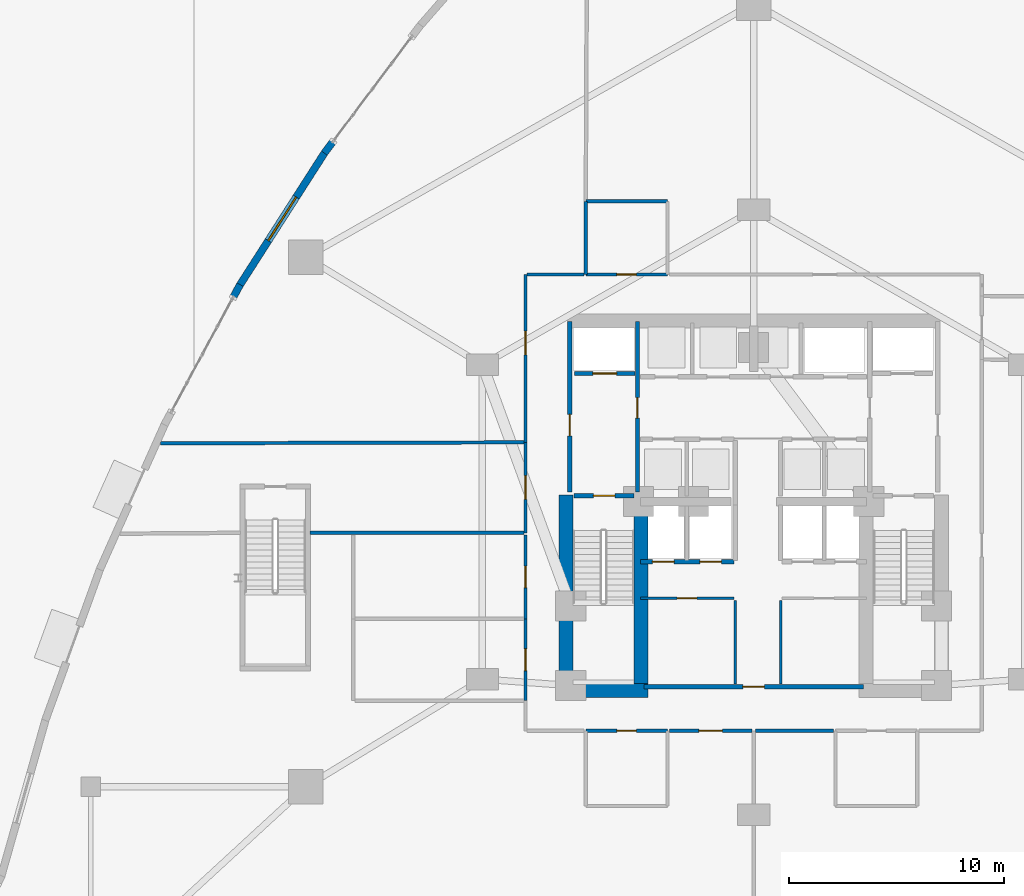
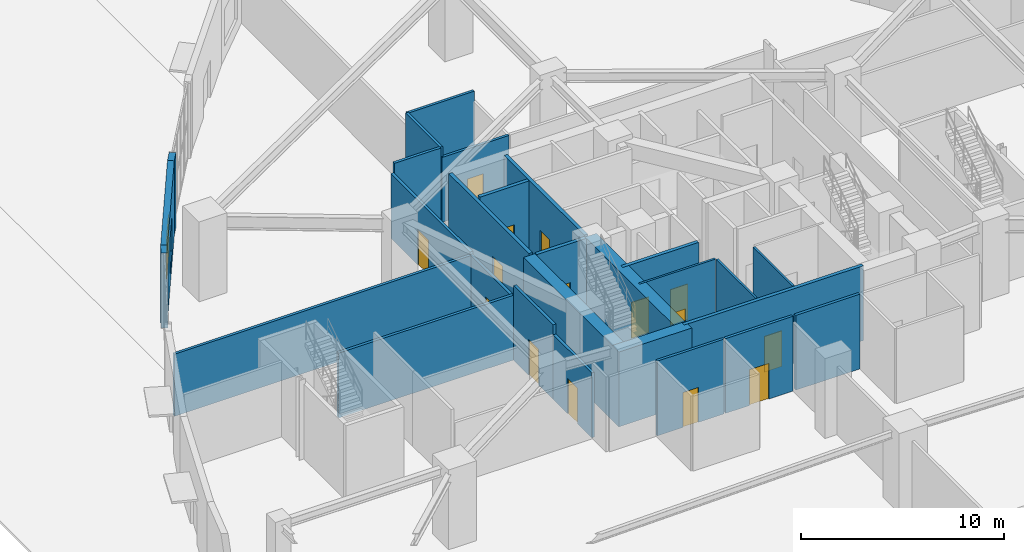
# One storey, part 23 of 32: 28 walls, 15 doors, 1 window, 16 openings.
"""IFC4 building model written with IfcOpenShell, lengths in metres."""

from ifc_helpers import new_model, si_unit, direction, frame, frame_2d, origin, place, context, subcontext, project, spatial, rectangle, extrude, material, layer, layer_set, type_object, element, fill, save


model = new_model("IFC4")

# Units and contexts
model_context = context("Model", 3, precision=1e-05, world=origin(), true_north=direction((0.0, 1.0)))
body_context = subcontext(model_context, "Body", "Model", "MODEL_VIEW")
ifc_project = project(units=[si_unit("LENGTHUNIT", "METRE"), si_unit("AREAUNIT", "SQUARE_METRE"), si_unit("VOLUMEUNIT", "CUBIC_METRE"), si_unit("PLANEANGLEUNIT", "RADIAN"), si_unit("MASSUNIT", "GRAM", prefix="KILO")], contexts=[model_context])

# Site, building, storey
site_placement = place(None, origin())
site = spatial("IfcSite", under=ifc_project, at=site_placement, CompositionType="ELEMENT")
building_placement = place(site_placement, origin())
building = spatial("IfcBuilding", under=site, at=building_placement, Name="Miruveldt Soraemaru", CompositionType="ELEMENT")
storey_placement = place(building_placement, origin())
storey = spatial("IfcBuildingStorey", under=building, at=storey_placement, Name="L01", CompositionType="ELEMENT", Elevation=0.0)

# Walls
ifc_material_1 = material(Name="Concrete C80/95 (80 MPa)", Category="concrete")
ifc_layer_1 = layer(ifc_material_1, 0.64990234375, Name="Concrete C80/95 (80 MPa)", Category="concrete")
ifc_layer_set_1 = layer_set([ifc_layer_1], Name="Concrete C80/95 (80 MPa)")
wall_type_1 = type_object("IfcWallType", Name="WALL-CW-650", PredefinedType="SHEAR", material=ifc_layer_set_1)
wall_1_placement = place(storey_placement, frame((34.949951171875, 35.27490234375, 0.0), z_axis=(0.0, 0.0, 1.0), x_axis=(1.0, 0.0, 0.0)))
element("IfcWall", 1, at=wall_1_placement, inside=storey, type_object=wall_type_1, Name="L01 Central Core Shear Wall S1", PredefinedType="SHEAR", context=body_context, shape_type="SweptSolid", body=[
    extrude(rectangle(XDim=4.150146484375, YDim=0.64990234375, at=frame_2d((2.0751953125, 0.0))), origin(), (0.0, 0.0, 1.0), 4.5),
])
wall_2_placement = place(storey_placement, frame((35.27490234375, 34.949951171875, 0.0), z_axis=(0.0, 0.0, 1.0), x_axis=(0.0, 1.0, 0.0)))
element("IfcWall", 2, at=wall_2_placement, inside=storey, type_object=wall_type_1, Name="L01 Central Core Shear Wall W1", PredefinedType="SHEAR", context=body_context, shape_type="SweptSolid", body=[
    extrude(rectangle(XDim=9.400146484375, YDim=0.64990234375, at=frame_2d((4.7001953125, 0.0))), origin(), (0.0, 0.0, 1.0), 4.5),
])
wall_3_placement = place(storey_placement, frame((38.77490234375, 35.39990234375, 0.0), z_axis=(0.0, 0.0, 1.0), x_axis=(0.0, 1.0, 0.0)))
element("IfcWall", 3, at=wall_3_placement, inside=storey, type_object=wall_type_1, Name="L01 Central Core Shear Wall SW-INT", PredefinedType="SHEAR", context=body_context, shape_type="SweptSolid", body=[
    extrude(rectangle(XDim=8.9501953125, YDim=0.64990234375, at=frame_2d((4.47509765625, 0.0))), origin(), (0.0, 0.0, 1.0), 4.5),
])
ifc_material_2 = material(Name="Precast concrete C45/55 (45 MPa)", Category="concrete")
ifc_layer_2 = layer(ifc_material_2, 0.340087890625, Name="Precast concrete C45/55 (45 MPa)", Category="concrete")
ifc_layer_set_2 = layer_set([ifc_layer_2], Name="Precast concrete C45/55 (45 MPa)")
wall_type_2 = type_object("IfcWallType", Name="WALL-EXT-PC340", PredefinedType="SOLIDWALL", material=ifc_layer_set_2)
wall_4_placement = place(storey_placement, frame((24.478759765625, 60.8037109375, 0.0), z_axis=(0.0, 0.0, 1.0), x_axis=(-0.600719928326, -0.799459547265, 0.0)))
element("IfcWall", 4, at=wall_4_placement, inside=storey, type_object=wall_type_2, Name="L01 Precast Pier Right 9", PredefinedType="SOLIDWALL", context=body_context, shape_type="SweptSolid", body=[
    extrude(rectangle(XDim=0.705078125, YDim=0.340087890625, at=frame_2d((0.3525390625, 0.0))), origin(), (0.0, 0.0, 1.0), 4.5),
])

# Wall, opening, window
wall_5_placement = place(storey_placement, frame((24.09521484375, 60.297607421875, 0.0), z_axis=(0.0, 0.0, 1.0), x_axis=(-0.539522772187, -0.841971007987, 0.0)))
wall_5 = element("IfcWall", 5, at=wall_5_placement, inside=storey, type_object=wall_type_2, Name="L01 Precast Concrete Facade Wall 10", PredefinedType="SOLIDWALL", context=body_context, shape_type="SweptSolid", body=[
    extrude(rectangle(XDim=7.398193359375, YDim=0.340087890625, at=frame_2d((3.69921875, 0.0))), origin(), (0.0, 0.0, 1.0), 4.5),
])
opening_1_placement = place(wall_5_placement, frame((2.4990234375, 0.0, 0.75)))
opening_1 = element("IfcOpeningElement", 6, at=opening_1_placement, cuts=wall_5, Name="Opening WN-5", PredefinedType="OPENING", context=body_context, shape_type="SweptSolid", body=[
    extrude(rectangle(XDim=2.39990234375, YDim=2.199951171875, at=frame_2d((1.199951171875, 1.10009765625))), frame((0.0, 0.18017578125, 0.0), z_axis=(0.0, -1.0, 0.0), x_axis=(1.0, 0.0, 0.0)), (0.0, 0.0, 1.0), 0.360107421875),
])
ifc_material_3 = material(Name="Triple low-e insulated glazing", Category="glass")
window_type = type_object("IfcWindowType", Name="WIN-PODM-2400x2200", PartitioningType="SINGLE_PANEL", PredefinedType="WINDOW", material=ifc_material_3)
window_placement = place(opening_1_placement, origin())
window = element("IfcWindow", 7, at=window_placement, inside=storey, type_object=window_type, Name="L01 Punched Triple-Glazed Window 10.1", OverallHeight=2.199951171875, OverallWidth=2.39990234375, PartitioningType="SINGLE_PANEL", PredefinedType="WINDOW", context=body_context, shape_type="SweptSolid", body=[
    extrude(rectangle(XDim=2.39990234375, YDim=2.199951171875, at=frame_2d((1.199951171875, 1.10009765625))), frame((0.0, 0.030029296875, 0.0), z_axis=(0.0, -1.0, 0.0), x_axis=(1.0, 0.0, 0.0)), (0.0, 0.0, 1.0), 0.06005859375),
])
fill(opening_1, window)

# Wall
wall_6_placement = place(storey_placement, frame((20.139404296875, 54.12890625, 0.0), z_axis=(0.0, 0.0, 1.0), x_axis=(-0.475111378879, -0.879925665985, 0.0)))
element("IfcWall", 8, at=wall_6_placement, inside=storey, type_object=wall_type_2, Name="L01 Precast Pier Left 11", PredefinedType="SOLIDWALL", context=body_context, shape_type="SweptSolid", body=[
    extrude(rectangle(XDim=0.705078125, YDim=0.340087890625, at=frame_2d((0.3525390625, 0.0))), origin(), (0.0, 0.0, 1.0), 4.5),
])

# Wall, opening, door
ifc_material_4 = material(Name="Gypsum plasterboard lining", Category="gypsum")
ifc_layer_3 = layer(ifc_material_4, 0.1201171875, Name="Gypsum plasterboard lining", Category="gypsum")
ifc_layer_set_3 = layer_set([ifc_layer_3], Name="Gypsum plasterboard lining")
wall_type_3 = type_object("IfcWallType", Name="WALL-INT-P120", PredefinedType="PARTITIONING", material=ifc_layer_set_3)
wall_7_placement = place(storey_placement, frame((38.75, 39.550048828125, 0.0), z_axis=(0.0, 0.0, 1.0), x_axis=(1.0, 0.0, 0.0)))
wall_7 = element("IfcWall", 9, at=wall_7_placement, inside=storey, type_object=wall_type_3, Name="L01 Core Compartment Wall CSW-N", PredefinedType="PARTITIONING", context=body_context, shape_type="SweptSolid", body=[
    extrude(rectangle(XDim=4.330078125, YDim=0.1201171875, at=frame_2d((2.1650390625, 0.0))), origin(), (0.0, 0.0, 1.0), 4.5),
])
opening_2_placement = place(wall_7_placement, frame((1.68994140625, 0.0, 0.0)))
opening_2 = element("IfcOpeningElement", 10, at=opening_2_placement, cuts=wall_7, Name="Opening D3A", PredefinedType="OPENING", context=body_context, shape_type="SweptSolid", body=[
    extrude(rectangle(XDim=0.919921875, YDim=2.10009765625, at=frame_2d((0.4599609375, 1.050048828125))), frame((0.0, 0.070068359375, 0.0), z_axis=(0.0, -1.0, 0.0), x_axis=(1.0, 0.0, 0.0)), (0.0, 0.0, 1.0), 0.14013671875),
])
ifc_material_5 = material(Name="Anodised aluminium EN AW-6063 T6", Category="aluminium")
door_type_1 = type_object("IfcDoorType", Name="DOOR-INT-920", OperationType="NOTDEFINED", PredefinedType="DOOR", material=ifc_material_5)
door_1_placement = place(opening_2_placement, origin())
door_1 = element("IfcDoor", 11, at=door_1_placement, inside=storey, type_object=door_type_1, Name="L01 Fire Door", OperationType="SINGLE_SWING_LEFT", OverallHeight=2.10009765625, OverallWidth=0.919921875, PredefinedType="DOOR", context=body_context, shape_type="SweptSolid", body=[
    extrude(rectangle(XDim=0.919921875, YDim=2.10009765625, at=frame_2d((0.4599609375, 1.050048828125))), frame((0.0, 0.02490234375, 0.0), z_axis=(0.0, -1.0, 0.0), x_axis=(1.0, 0.0, 0.0)), (0.0, 0.0, 1.0), 0.050048828125),
])
fill(opening_2, door_1)

# Walls
for number, where, z_axis, x_axis, name in (
    (12, (43.14990234375, 35.580078125, 0.0), (0.0, 0.0, 1.0), (0.0, 1.0, 0.0), "L01 Core Compartment Wall SP-WS"),
    (13, (45.25, 35.580078125, 0.0), (0.0, 0.0, 1.0), (0.0, 1.0, 0.0), "L01 Core Compartment Wall SP-ES"),
):
    element("IfcWall", number, at=place(storey_placement, frame(where, z_axis=z_axis, x_axis=x_axis)), inside=storey, type_object=wall_type_3, Name=name, PredefinedType="PARTITIONING", context=body_context, shape_type="SweptSolid", body=[
        extrude(rectangle(XDim=3.869873046875, YDim=0.1201171875, at=frame_2d((1.93505859375, 0.0))), origin(), (0.0, 0.0, 1.0), 4.5),
    ])

# Wall, opening, door
ifc_layer_4 = layer(ifc_material_4, 0.14990234375, Name="Gypsum plasterboard lining", Category="gypsum")
ifc_layer_set_4 = layer_set([ifc_layer_4], Name="Gypsum plasterboard lining")
wall_type_4 = type_object("IfcWallType", Name="WALL-INT-PLUMB", PredefinedType="PLUMBINGWALL", material=ifc_layer_set_4)
wall_8_placement = place(storey_placement, frame((40.0, 54.60009765625, 0.0), z_axis=(0.0, 0.0, 1.0), x_axis=(-1.0, 0.0, 0.0)))
wall_8 = element("IfcWall", 14, at=wall_8_placement, inside=storey, type_object=wall_type_4, Name="L01 Partition Wall 3", PredefinedType="PLUMBINGWALL", context=body_context, shape_type="SweptSolid", body=[
    extrude(rectangle(XDim=3.800048828125, YDim=0.14990234375, at=frame_2d((1.89990234375, 0.0))), origin(), (0.0, 0.0, 1.0), 3.89990234375),
])
opening_3_placement = place(wall_8_placement, frame((1.449951171875, 0.0, 0.0)))
opening_3 = element("IfcOpeningElement", 15, at=opening_3_placement, cuts=wall_8, Name="Opening D3", PredefinedType="OPENING", context=body_context, shape_type="SweptSolid", body=[
    extrude(rectangle(XDim=0.89990234375, YDim=2.10009765625, at=frame_2d((0.449951171875, 1.050048828125))), frame((0.0, 0.0849609375, 0.0), z_axis=(0.0, -1.0, 0.0), x_axis=(1.0, 0.0, 0.0)), (0.0, 0.0, 1.0), 0.169921875),
])
door_type_2 = type_object("IfcDoorType", Name="DOOR-INT-900", OperationType="NOTDEFINED", PredefinedType="DOOR", material=ifc_material_5)
door_2_placement = place(opening_3_placement, origin())
door_2 = element("IfcDoor", 16, at=door_2_placement, inside=storey, type_object=door_type_2, Name="L01 Public Male Restroom Door", OperationType="SINGLE_SWING_LEFT", OverallHeight=2.10009765625, OverallWidth=0.89990234375, PredefinedType="DOOR", context=body_context, shape_type="SweptSolid", body=[
    extrude(rectangle(XDim=0.89990234375, YDim=2.10009765625, at=frame_2d((0.449951171875, 1.050048828125))), frame((0.0, 0.02490234375, 0.0), z_axis=(0.0, -1.0, 0.0), x_axis=(1.0, 0.0, 0.0)), (0.0, 0.0, 1.0), 0.050048828125),
])
fill(opening_3, door_2)

wall_9_placement = place(storey_placement, frame((36.199951171875, 33.39990234375, 0.0), z_axis=(0.0, 0.0, 1.0), x_axis=(1.0, 0.0, 0.0)))
wall_9 = element("IfcWall", 17, at=wall_9_placement, inside=storey, type_object=wall_type_4, Name="L01 Partition Wall 4", PredefinedType="PLUMBINGWALL", context=body_context, shape_type="SweptSolid", body=[
    extrude(rectangle(XDim=3.800048828125, YDim=0.14990234375, at=frame_2d((1.89990234375, 0.0))), origin(), (0.0, 0.0, 1.0), 4.5),
])
opening_4_placement = place(wall_9_placement, frame((1.449951171875, 0.0, 0.0)))
opening_4 = element("IfcOpeningElement", 18, at=opening_4_placement, cuts=wall_9, Name="Opening D3", PredefinedType="OPENING", context=body_context, shape_type="SweptSolid", body=[
    extrude(rectangle(XDim=0.89990234375, YDim=2.10009765625, at=frame_2d((0.449951171875, 1.050048828125))), frame((0.0, 0.0849609375, 0.0), z_axis=(0.0, -1.0, 0.0), x_axis=(1.0, 0.0, 0.0)), (0.0, 0.0, 1.0), 0.169921875),
])
door_3_placement = place(opening_4_placement, origin())
door_3 = element("IfcDoor", 19, at=door_3_placement, inside=storey, type_object=door_type_2, Name="L01 Public Female Restroom Door", OperationType="SINGLE_SWING_RIGHT", OverallHeight=2.10009765625, OverallWidth=0.89990234375, PredefinedType="DOOR", context=body_context, shape_type="SweptSolid", body=[
    extrude(rectangle(XDim=0.89990234375, YDim=2.10009765625, at=frame_2d((0.449951171875, 1.050048828125))), frame((0.0, 0.02490234375, 0.0), z_axis=(0.0, -1.0, 0.0), x_axis=(1.0, 0.0, 0.0)), (0.0, 0.0, 1.0), 0.050048828125),
])
fill(opening_4, door_3)

# Walls
wall_10_placement = place(storey_placement, frame((40.0, 58.0, 0.0), z_axis=(0.0, 0.0, 1.0), x_axis=(-1.0, 0.0, 0.0)))
element("IfcWall", 20, at=wall_10_placement, inside=storey, type_object=wall_type_4, Name="L01 Partition Wall 25", PredefinedType="PLUMBINGWALL", context=body_context, shape_type="SweptSolid", body=[
    extrude(rectangle(XDim=3.800048828125, YDim=0.14990234375, at=frame_2d((1.89990234375, 0.0))), origin(), (0.0, 0.0, 1.0), 4.5),
])
wall_11_placement = place(storey_placement, frame((36.199951171875, 58.0, 0.0), z_axis=(0.0, 0.0, 1.0), x_axis=(0.0, -1.0, 0.0)))
element("IfcWall", 21, at=wall_11_placement, inside=storey, type_object=wall_type_4, Name="L01 Partition Wall 23", PredefinedType="PLUMBINGWALL", context=body_context, shape_type="SweptSolid", body=[
    extrude(rectangle(XDim=3.39990234375, YDim=0.14990234375, at=frame_2d((1.699951171875, 0.0))), origin(), (0.0, 0.0, 1.0), 4.5),
])

# Wall, opening, door
ifc_material_6 = material(Name="Concrete C40/50 (40 MPa)", Category="concrete")
ifc_layer_5 = layer(ifc_material_6, 0.159912109375, Name="Concrete C40/50 (40 MPa)", Category="concrete")
ifc_layer_set_5 = layer_set([ifc_layer_5], Name="Concrete C40/50 (40 MPa)")
wall_type_5 = type_object("IfcWallType", Name="WALL-INT-RC160", PredefinedType="SOLIDWALL", material=ifc_layer_set_5)
wall_12_placement = place(storey_placement, frame((33.39990234375, 54.60009765625, 0.0), z_axis=(0.0, 0.0, 1.0), x_axis=(0.0, -1.0, 0.0)))
wall_12 = element("IfcWall", 22, at=wall_12_placement, inside=storey, type_object=wall_type_5, Name="L01 Partition Wall 15", PredefinedType="SOLIDWALL", context=body_context, shape_type="SweptSolid", body=[
    extrude(rectangle(XDim=7.800048828125, YDim=0.159912109375, at=frame_2d((3.89990234375, 0.0))), origin(), (0.0, 0.0, 1.0), 3.89990234375),
])
opening_5_placement = place(wall_12_placement, frame((2.6298828125, 0.0, 0.0)))
opening_5 = element("IfcOpeningElement", 23, at=opening_5_placement, cuts=wall_12, Name="Opening FD1A", PredefinedType="OPENING", context=body_context, shape_type="SweptSolid", body=[
    extrude(rectangle(XDim=1.10009765625, YDim=2.14990234375, at=frame_2d((0.550048828125, 1.074951171875))), frame((0.0, 0.08984375, 0.0), z_axis=(0.0, -1.0, 0.0), x_axis=(1.0, 0.0, 0.0)), (0.0, 0.0, 1.0), 0.179931640625),
])
door_type_3 = type_object("IfcDoorType", Name="DOOR-FD1-1100", OperationType="NOTDEFINED", PredefinedType="DOOR", material=ifc_material_5)
door_4_placement = place(opening_5_placement, origin())
door_4 = element("IfcDoor", 24, at=door_4_placement, inside=storey, type_object=door_type_3, Name="L01 Waterfront Bakery and Cafe Entrance Door", OperationType="SINGLE_SWING_RIGHT", OverallHeight=2.14990234375, OverallWidth=1.10009765625, PredefinedType="DOOR", context=body_context, shape_type="SweptSolid", body=[
    extrude(rectangle(XDim=1.10009765625, YDim=2.14990234375, at=frame_2d((0.550048828125, 1.074951171875))), frame((0.0, 0.02490234375, 0.0), z_axis=(0.0, -1.0, 0.0), x_axis=(1.0, 0.0, 0.0)), (0.0, 0.0, 1.0), 0.050048828125),
])
fill(opening_5, door_4)

wall_13_placement = place(storey_placement, frame((33.39990234375, 46.800048828125, 0.0), z_axis=(0.0, 0.0, 1.0), x_axis=(0.0, -1.0, 0.0)))
wall_13 = element("IfcWall", 25, at=wall_13_placement, inside=storey, type_object=wall_type_5, Name="L01 Partition Wall 1", PredefinedType="SOLIDWALL", context=body_context, shape_type="SweptSolid", body=[
    extrude(rectangle(XDim=4.199951171875, YDim=0.159912109375, at=frame_2d((2.10009765625, 0.0))), origin(), (0.0, 0.0, 1.0), 3.738037109375),
])
opening_6_placement = place(wall_13_placement, frame((1.550048828125, 0.0, 0.0)))
opening_6 = element("IfcOpeningElement", 26, at=opening_6_placement, cuts=wall_13, Name="Opening FD1A", PredefinedType="OPENING", context=body_context, shape_type="SweptSolid", body=[
    extrude(rectangle(XDim=1.10009765625, YDim=2.14990234375, at=frame_2d((0.550048828125, 1.074951171875))), frame((0.0, 0.08984375, 0.0), z_axis=(0.0, -1.0, 0.0), x_axis=(1.0, 0.0, 0.0)), (0.0, 0.0, 1.0), 0.179931640625),
])
door_5_placement = place(opening_6_placement, frame((1.10009765625, 0.0, 0.0), z_axis=(0.0, 0.0, 1.0), x_axis=(-1.0, 0.0, 0.0)))
door_5 = element("IfcDoor", 27, at=door_5_placement, inside=storey, type_object=door_type_3, Name="L01 West Protected Exit Passageway Fire Door", OperationType="SINGLE_SWING_LEFT", OverallHeight=2.14990234375, OverallWidth=1.10009765625, PredefinedType="DOOR", context=body_context, shape_type="SweptSolid", body=[
    extrude(rectangle(XDim=1.10009765625, YDim=2.14990234375, at=frame_2d((0.550048828125, 1.074951171875))), frame((0.0, 0.02490234375, 0.0), z_axis=(0.0, -1.0, 0.0), x_axis=(1.0, 0.0, 0.0)), (0.0, 0.0, 1.0), 0.050048828125),
])
fill(opening_6, door_5)

wall_14_placement = place(storey_placement, frame((33.39990234375, 42.5, 0.0), z_axis=(0.0, 0.0, 1.0), x_axis=(0.0, -1.0, 0.0)))
wall_14 = element("IfcWall", 28, at=wall_14_placement, inside=storey, type_object=wall_type_5, Name="L01 Partition Wall 6", PredefinedType="SOLIDWALL", context=body_context, shape_type="SweptSolid", body=[
    extrude(rectangle(XDim=3.89990234375, YDim=0.159912109375, at=frame_2d((1.949951171875, 0.0))), origin(), (0.0, 0.0, 1.0), 4.5),
])
opening_7_placement = place(wall_14_placement, frame((1.449951171875, 0.0, 0.0)))
opening_7 = element("IfcOpeningElement", 29, at=opening_7_placement, cuts=wall_14, Name="Opening FD1", PredefinedType="OPENING", context=body_context, shape_type="SweptSolid", body=[
    extrude(rectangle(XDim=1.0, YDim=2.14990234375, at=frame_2d((0.5, 1.074951171875))), frame((0.0, 0.08984375, 0.0), z_axis=(0.0, -1.0, 0.0), x_axis=(1.0, 0.0, 0.0)), (0.0, 0.0, 1.0), 0.179931640625),
])
door_type_4 = type_object("IfcDoorType", Name="DOOR-FD1-1000", OperationType="NOTDEFINED", PredefinedType="DOOR", material=ifc_material_5)
door_6_placement = place(opening_7_placement, origin())
door_6 = element("IfcDoor", 30, at=door_6_placement, inside=storey, type_object=door_type_4, Name="L01 Fire Command Center Fire Door", OperationType="SINGLE_SWING_RIGHT", OverallHeight=2.14990234375, OverallWidth=1.0, PredefinedType="DOOR", context=body_context, shape_type="SweptSolid", body=[
    extrude(rectangle(XDim=1.0, YDim=2.14990234375, at=frame_2d((0.5, 1.074951171875))), frame((0.0, 0.02490234375, 0.0), z_axis=(0.0, -1.0, 0.0), x_axis=(1.0, 0.0, 0.0)), (0.0, 0.0, 1.0), 0.050048828125),
])
fill(opening_7, door_6)

wall_15_placement = place(storey_placement, frame((40.080078125, 33.39990234375, 0.0), z_axis=(0.0, 0.0, 1.0), x_axis=(1.0, 0.0, 0.0)))
wall_15 = element("IfcWall", 31, at=wall_15_placement, inside=storey, type_object=wall_type_5, Name="L01 Partition Wall 10", PredefinedType="SOLIDWALL", context=body_context, shape_type="SweptSolid", body=[
    extrude(rectangle(XDim=3.83984375, YDim=0.159912109375, at=frame_2d((1.919921875, 0.0))), origin(), (0.0, 0.0, 1.0), 4.5),
])
opening_8_placement = place(wall_15_placement, frame((1.3701171875, 0.0, 0.0)))
opening_8 = element("IfcOpeningElement", 32, at=opening_8_placement, cuts=wall_15, Name="Opening FD1A", PredefinedType="OPENING", context=body_context, shape_type="SweptSolid", body=[
    extrude(rectangle(XDim=1.10009765625, YDim=2.14990234375, at=frame_2d((0.550048828125, 1.074951171875))), frame((0.0, 0.08984375, 0.0), z_axis=(0.0, -1.0, 0.0), x_axis=(1.0, 0.0, 0.0)), (0.0, 0.0, 1.0), 0.179931640625),
])
door_7_placement = place(opening_8_placement, origin())
door_7 = element("IfcDoor", 33, at=door_7_placement, inside=storey, type_object=door_type_3, Name="L01 Grand Entrance Lobby Hall Entrance Door", OperationType="SINGLE_SWING_RIGHT", OverallHeight=2.14990234375, OverallWidth=1.10009765625, PredefinedType="DOOR", context=body_context, shape_type="SweptSolid", body=[
    extrude(rectangle(XDim=1.10009765625, YDim=2.14990234375, at=frame_2d((0.550048828125, 1.074951171875))), frame((0.0, 0.02490234375, 0.0), z_axis=(0.0, -1.0, 0.0), x_axis=(1.0, 0.0, 0.0)), (0.0, 0.0, 1.0), 0.050048828125),
])
fill(opening_8, door_7)

wall_16_placement = place(storey_placement, frame((33.39990234375, 38.60009765625, 0.0), z_axis=(0.0, 0.0, 1.0), x_axis=(0.0, -1.0, 0.0)))
wall_16 = element("IfcWall", 34, at=wall_16_placement, inside=storey, type_object=wall_type_5, Name="L01 Partition Wall 7", PredefinedType="SOLIDWALL", context=body_context, shape_type="SweptSolid", body=[
    extrude(rectangle(XDim=3.800048828125, YDim=0.159912109375, at=frame_2d((1.89990234375, 0.0))), origin(), (0.0, 0.0, 1.0), 3.89990234375),
])
opening_9_placement = place(wall_16_placement, frame((1.39990234375, 0.0, 0.0)))
opening_9 = element("IfcOpeningElement", 35, at=opening_9_placement, cuts=wall_16, Name="Opening FD1", PredefinedType="OPENING", context=body_context, shape_type="SweptSolid", body=[
    extrude(rectangle(XDim=1.0, YDim=2.14990234375, at=frame_2d((0.5, 1.074951171875))), frame((0.0, 0.08984375, 0.0), z_axis=(0.0, -1.0, 0.0), x_axis=(1.0, 0.0, 0.0)), (0.0, 0.0, 1.0), 0.179931640625),
])
door_8_placement = place(opening_9_placement, origin())
door_8 = element("IfcDoor", 36, at=door_8_placement, inside=storey, type_object=door_type_4, Name="L01 Disaster Prevention Staff Annex Fire Door", OperationType="SINGLE_SWING_LEFT", OverallHeight=2.14990234375, OverallWidth=1.0, PredefinedType="DOOR", context=body_context, shape_type="SweptSolid", body=[
    extrude(rectangle(XDim=1.0, YDim=2.14990234375, at=frame_2d((0.5, 1.074951171875))), frame((0.0, 0.02490234375, 0.0), z_axis=(0.0, -1.0, 0.0), x_axis=(1.0, 0.0, 0.0)), (0.0, 0.0, 1.0), 0.050048828125),
])
fill(opening_9, door_8)

# Walls
wall_17_placement = place(storey_placement, frame((33.320068359375, 46.800048828125, 0.0), z_axis=(0.0, 0.0, 1.0), x_axis=(-0.999996757828, -0.002546435404, 0.0)))
element("IfcWall", 37, at=wall_17_placement, inside=storey, type_object=wall_type_5, Name="L01 Partition Wall 20", PredefinedType="SOLIDWALL", context=body_context, shape_type="SweptSolid", body=[
    extrude(rectangle(XDim=16.8740234375, YDim=0.159912109375, at=frame_2d((8.43701171875, 0.0))), origin(), (0.0, 0.0, 1.0), 3.738037109375),
])
wall_18_placement = place(storey_placement, frame((23.3798828125, 42.60009765625, 0.0), z_axis=(0.0, 0.0, 1.0), x_axis=(1.0, 0.0, 0.0)))
element("IfcWall", 38, at=wall_18_placement, inside=storey, type_object=wall_type_5, Name="L01 Partition Wall 19", PredefinedType="SOLIDWALL", context=body_context, shape_type="SweptSolid", body=[
    extrude(rectangle(XDim=9.940185546875, YDim=0.159912109375, at=frame_2d((4.97021484375, 0.0))), origin(), (0.0, 0.0, 1.0), 3.89990234375),
])
wall_19_placement = place(storey_placement, frame((44.080078125, 33.39990234375, 0.0), z_axis=(0.0, 0.0, 1.0), x_axis=(1.0, 0.0, 0.0)))
element("IfcWall", 39, at=wall_19_placement, inside=storey, type_object=wall_type_5, Name="L01 Partition Wall 11", PredefinedType="SOLIDWALL", context=body_context, shape_type="SweptSolid", body=[
    extrude(rectangle(XDim=3.639892578125, YDim=0.159912109375, at=frame_2d((1.81982421875, 0.0))), origin(), (0.0, 0.0, 1.0), 4.5),
])
wall_20_placement = place(storey_placement, frame((36.1201171875, 54.60009765625, 0.0), z_axis=(0.0, 0.0, 1.0), x_axis=(-1.0, 0.0, 0.0)))
element("IfcWall", 40, at=wall_20_placement, inside=storey, type_object=wall_type_5, Name="L01 Partition Wall 14", PredefinedType="SOLIDWALL", context=body_context, shape_type="SweptSolid", body=[
    extrude(rectangle(XDim=2.64013671875, YDim=0.159912109375, at=frame_2d((1.320068359375, 0.0))), origin(), (0.0, 0.0, 1.0), 4.5),
])

# Wall, opening, door
ifc_layer_6 = layer(ifc_material_6, 0.199951171875, Name="Concrete C40/50 (40 MPa)", Category="concrete")
ifc_layer_set_6 = layer_set([ifc_layer_6], Name="Concrete C40/50 (40 MPa)")
wall_type_6 = type_object("IfcWallType", Name="WALL-INT-RC200", PredefinedType="SOLIDWALL", material=ifc_layer_set_6)
wall_21_placement = place(storey_placement, frame((38.89990234375, 35.449951171875, 0.0), z_axis=(0.0, 0.0, 1.0), x_axis=(1.0, 0.0, 0.0)))
wall_21 = element("IfcWall", 41, at=wall_21_placement, inside=storey, type_object=wall_type_6, Name="L01 Core Compartment Wall CS-S", PredefinedType="SOLIDWALL", context=body_context, shape_type="SweptSolid", body=[
    extrude(rectangle(XDim=10.2001953125, YDim=0.199951171875, at=frame_2d((5.10009765625, 0.0))), origin(), (0.0, 0.0, 1.0), 4.5),
])
opening_10_placement = place(wall_21_placement, frame((4.60009765625, 0.0, 0.0)))
opening_10 = element("IfcOpeningElement", 42, at=opening_10_placement, cuts=wall_21, Name="Opening FD1", PredefinedType="OPENING", context=body_context, shape_type="SweptSolid", body=[
    extrude(rectangle(XDim=1.0, YDim=2.14990234375, at=frame_2d((0.5, 1.074951171875))), frame((0.0, 0.10986328125, 0.0), z_axis=(0.0, -1.0, 0.0), x_axis=(1.0, 0.0, 0.0)), (0.0, 0.0, 1.0), 0.219970703125),
])
door_9_placement = place(opening_10_placement, origin())
door_9 = element("IfcDoor", 43, at=door_9_placement, inside=storey, type_object=door_type_4, Name="L01 Core South Lobby Fire Door", OperationType="SINGLE_SWING_LEFT", OverallHeight=2.14990234375, OverallWidth=1.0, PredefinedType="DOOR", context=body_context, shape_type="SweptSolid", body=[
    extrude(rectangle(XDim=1.0, YDim=2.14990234375, at=frame_2d((0.5, 1.074951171875))), frame((0.0, 0.02490234375, 0.0), z_axis=(0.0, -1.0, 0.0), x_axis=(1.0, 0.0, 0.0)), (0.0, 0.0, 1.0), 0.050048828125),
])
fill(opening_10, door_9)

wall_22_placement = place(storey_placement, frame((35.449951171875, 44.5, 0.0), z_axis=(0.0, 0.0, 1.0), x_axis=(0.0, 1.0, 0.0)))
wall_22 = element("IfcWall", 44, at=wall_22_placement, inside=storey, type_object=wall_type_6, Name="L01 Core Compartment Wall FFW-OUT", PredefinedType="SOLIDWALL", context=body_context, shape_type="SweptSolid", body=[
    extrude(rectangle(XDim=7.919921875, YDim=0.199951171875, at=frame_2d((3.9599609375, 0.0))), origin(), (0.0, 0.0, 1.0), 4.5),
])
opening_11_placement = place(wall_22_placement, frame((2.60009765625, 0.0, 0.0)))
opening_11 = element("IfcOpeningElement", 45, at=opening_11_placement, cuts=wall_22, Name="Opening FD1", PredefinedType="OPENING", context=body_context, shape_type="SweptSolid", body=[
    extrude(rectangle(XDim=1.0, YDim=2.14990234375, at=frame_2d((0.5, 1.074951171875))), frame((0.0, 0.10986328125, 0.0), z_axis=(0.0, -1.0, 0.0), x_axis=(1.0, 0.0, 0.0)), (0.0, 0.0, 1.0), 0.219970703125),
])
door_10_placement = place(opening_11_placement, origin())
door_10 = element("IfcDoor", 46, at=door_10_placement, inside=storey, type_object=door_type_4, Name="L01 West Firefighting Lobby Exit Door", OperationType="SINGLE_SWING_LEFT", OverallHeight=2.14990234375, OverallWidth=1.0, PredefinedType="DOOR", context=body_context, shape_type="SweptSolid", body=[
    extrude(rectangle(XDim=1.0, YDim=2.14990234375, at=frame_2d((0.5, 1.074951171875))), frame((0.0, 0.02490234375, 0.0), z_axis=(0.0, -1.0, 0.0), x_axis=(1.0, 0.0, 0.0)), (0.0, 0.0, 1.0), 0.050048828125),
])
fill(opening_11, door_10)

wall_23_placement = place(storey_placement, frame((38.60009765625, 44.5, 0.0), z_axis=(0.0, 0.0, 1.0), x_axis=(0.0, 1.0, 0.0)))
wall_23 = element("IfcWall", 47, at=wall_23_placement, inside=storey, type_object=wall_type_6, Name="L01 Core Compartment Wall FFW-IN", PredefinedType="SOLIDWALL", context=body_context, shape_type="SweptSolid", body=[
    extrude(rectangle(XDim=7.919921875, YDim=0.199951171875, at=frame_2d((3.9599609375, 0.0))), origin(), (0.0, 0.0, 1.0), 4.5),
])
opening_12_placement = place(wall_23_placement, frame((3.425048828125, 0.0, 0.0)))
opening_12 = element("IfcOpeningElement", 48, at=opening_12_placement, cuts=wall_23, Name="Opening FD2", PredefinedType="OPENING", context=body_context, shape_type="SweptSolid", body=[
    extrude(rectangle(XDim=0.949951171875, YDim=2.14990234375, at=frame_2d((0.47509765625, 1.074951171875))), frame((0.0, 0.10986328125, 0.0), z_axis=(0.0, -1.0, 0.0), x_axis=(1.0, 0.0, 0.0)), (0.0, 0.0, 1.0), 0.219970703125),
])
door_type_5 = type_object("IfcDoorType", Name="DOOR-FD2-950", OperationType="NOTDEFINED", PredefinedType="DOOR", material=ifc_material_5)
door_11_placement = place(opening_12_placement, frame((0.949951171875, 0.0, 0.0), z_axis=(0.0, 0.0, 1.0), x_axis=(-1.0, 0.0, 0.0)))
door_11 = element("IfcDoor", 49, at=door_11_placement, inside=storey, type_object=door_type_5, Name="L01 Lift Lobby to West Fire Lobby Door", OperationType="SINGLE_SWING_RIGHT", OverallHeight=2.14990234375, OverallWidth=0.949951171875, PredefinedType="DOOR", context=body_context, shape_type="SweptSolid", body=[
    extrude(rectangle(XDim=0.949951171875, YDim=2.14990234375, at=frame_2d((0.47509765625, 1.074951171875))), frame((0.0, 0.02490234375, 0.0), z_axis=(0.0, -1.0, 0.0), x_axis=(1.0, 0.0, 0.0)), (0.0, 0.0, 1.0), 0.050048828125),
])
fill(opening_12, door_11)

# Wall, openings, doors
wall_24_placement = place(storey_placement, frame((38.75, 41.25, 0.0), z_axis=(0.0, 0.0, 1.0), x_axis=(1.0, 0.0, 0.0)))
wall_24 = element("IfcWall", 50, at=wall_24_placement, inside=storey, type_object=wall_type_6, Name="L01 Core Compartment Wall LBW-S", PredefinedType="SOLIDWALL", context=body_context, shape_type="SweptSolid", body=[
    extrude(rectangle(XDim=4.330078125, YDim=0.199951171875, at=frame_2d((2.1650390625, 0.0))), origin(), (0.0, 0.0, 1.0), 4.5),
])
opening_13_placement = place(wall_24_placement, frame((0.550048828125, 0.0, 0.0)))
opening_13 = element("IfcOpeningElement", 51, at=opening_13_placement, cuts=wall_24, Name="Opening LD1B", PredefinedType="OPENING", context=body_context, shape_type="SweptSolid", body=[
    extrude(rectangle(XDim=1.0, YDim=2.14990234375, at=frame_2d((0.5, 1.074951171875))), frame((0.0, 0.10986328125, 0.0), z_axis=(0.0, -1.0, 0.0), x_axis=(1.0, 0.0, 0.0)), (0.0, 0.0, 1.0), 0.219970703125),
])
opening_14_placement = place(wall_24_placement, frame((2.75, 0.0, 0.0)))
opening_14 = element("IfcOpeningElement", 52, at=opening_14_placement, cuts=wall_24, Name="Opening LD1B", PredefinedType="OPENING", context=body_context, shape_type="SweptSolid", body=[
    extrude(rectangle(XDim=1.0, YDim=2.14990234375, at=frame_2d((0.5, 1.074951171875))), frame((0.0, 0.10986328125, 0.0), z_axis=(0.0, -1.0, 0.0), x_axis=(1.0, 0.0, 0.0)), (0.0, 0.0, 1.0), 0.219970703125),
])
door_type_6 = type_object("IfcDoorType", Name="DOOR-LD1-1000", OperationType="SLIDING_TO_LEFT", PredefinedType="DOOR", material=ifc_material_5)
door_12_placement = place(opening_13_placement, frame((1.0, 0.0, 0.0), z_axis=(0.0, 0.0, 1.0), x_axis=(-1.0, 0.0, 0.0)))
door_12 = element("IfcDoor", 53, at=door_12_placement, inside=storey, type_object=door_type_6, Name="L01 PL-L1 Landing Door", OperationType="SLIDING_TO_LEFT", OverallHeight=2.14990234375, OverallWidth=1.0, PredefinedType="DOOR", context=body_context, shape_type="SweptSolid", body=[
    extrude(rectangle(XDim=1.0, YDim=2.14990234375, at=frame_2d((0.5, 1.074951171875))), frame((0.0, 0.02490234375, 0.0), z_axis=(0.0, -1.0, 0.0), x_axis=(1.0, 0.0, 0.0)), (0.0, 0.0, 1.0), 0.050048828125),
])
fill(opening_13, door_12)
door_13_placement = place(opening_14_placement, frame((1.0, 0.0, 0.0), z_axis=(0.0, 0.0, 1.0), x_axis=(-1.0, 0.0, 0.0)))
door_13 = element("IfcDoor", 54, at=door_13_placement, inside=storey, type_object=door_type_6, Name="L01 PL-L2 Landing Door", OperationType="SLIDING_TO_LEFT", OverallHeight=2.14990234375, OverallWidth=1.0, PredefinedType="DOOR", context=body_context, shape_type="SweptSolid", body=[
    extrude(rectangle(XDim=1.0, YDim=2.14990234375, at=frame_2d((0.5, 1.074951171875))), frame((0.0, 0.02490234375, 0.0), z_axis=(0.0, -1.0, 0.0), x_axis=(1.0, 0.0, 0.0)), (0.0, 0.0, 1.0), 0.050048828125),
])
fill(opening_14, door_13)

# Wall, opening, door
wall_25_placement = place(storey_placement, frame((35.64990234375, 44.320068359375, 0.0), z_axis=(0.0, 0.0, 1.0), x_axis=(1.0, 0.0, 0.0)))
wall_25 = element("IfcWall", 55, at=wall_25_placement, inside=storey, type_object=wall_type_6, Name="L01 Core Compartment Wall ST1-N", PredefinedType="SOLIDWALL", context=body_context, shape_type="SweptSolid", body=[
    extrude(rectangle(XDim=2.800048828125, YDim=0.199951171875, at=frame_2d((1.39990234375, 0.0))), origin(), (0.0, 0.0, 1.0), 4.5),
])
opening_15_placement = place(wall_25_placement, frame((0.89990234375, 0.0, 0.0)))
opening_15 = element("IfcOpeningElement", 56, at=opening_15_placement, cuts=wall_25, Name="Opening FD1", PredefinedType="OPENING", context=body_context, shape_type="SweptSolid", body=[
    extrude(rectangle(XDim=1.0, YDim=2.14990234375, at=frame_2d((0.5, 1.074951171875))), frame((0.0, 0.10986328125, 0.0), z_axis=(0.0, -1.0, 0.0), x_axis=(1.0, 0.0, 0.0)), (0.0, 0.0, 1.0), 0.219970703125),
])
door_14_placement = place(opening_15_placement, frame((1.0, 0.0, 0.0), z_axis=(0.0, 0.0, 1.0), x_axis=(-1.0, 0.0, 0.0)))
door_14 = element("IfcDoor", 57, at=door_14_placement, inside=storey, type_object=door_type_4, Name="L01 Stair ST-1 Fire Door", OperationType="SINGLE_SWING_LEFT", OverallHeight=2.14990234375, OverallWidth=1.0, PredefinedType="DOOR", context=body_context, shape_type="SweptSolid", body=[
    extrude(rectangle(XDim=1.0, YDim=2.14990234375, at=frame_2d((0.5, 1.074951171875))), frame((0.0, 0.02490234375, 0.0), z_axis=(0.0, -1.0, 0.0), x_axis=(1.0, 0.0, 0.0)), (0.0, 0.0, 1.0), 0.050048828125),
])
fill(opening_15, door_14)

wall_26_placement = place(storey_placement, frame((35.679931640625, 50.0, 0.0), z_axis=(0.0, 0.0, 1.0), x_axis=(1.0, 0.0, 0.0)))
wall_26 = element("IfcWall", 58, at=wall_26_placement, inside=storey, type_object=wall_type_6, Name="L01 Core Compartment Wall FFL1-S", PredefinedType="SOLIDWALL", context=body_context, shape_type="SweptSolid", body=[
    extrude(rectangle(XDim=2.800048828125, YDim=0.199951171875, at=frame_2d((1.39990234375, 0.0))), origin(), (0.0, 0.0, 1.0), 4.5),
])
opening_16_placement = place(wall_26_placement, frame((0.85009765625, 0.0, 0.0)))
opening_16 = element("IfcOpeningElement", 59, at=opening_16_placement, cuts=wall_26, Name="Opening LD2", PredefinedType="OPENING", context=body_context, shape_type="SweptSolid", body=[
    extrude(rectangle(XDim=1.10009765625, YDim=2.14990234375, at=frame_2d((0.550048828125, 1.074951171875))), frame((0.0, 0.10986328125, 0.0), z_axis=(0.0, -1.0, 0.0), x_axis=(1.0, 0.0, 0.0)), (0.0, 0.0, 1.0), 0.219970703125),
])
door_type_7 = type_object("IfcDoorType", Name="DOOR-LD2-1100", OperationType="SLIDING_TO_LEFT", PredefinedType="DOOR", material=ifc_material_5)
door_15_placement = place(opening_16_placement, origin())
door_15 = element("IfcDoor", 60, at=door_15_placement, inside=storey, type_object=door_type_7, Name="L01 FFL-1 Landing Door", OperationType="SLIDING_TO_LEFT", OverallHeight=2.14990234375, OverallWidth=1.10009765625, PredefinedType="DOOR", context=body_context, shape_type="SweptSolid", body=[
    extrude(rectangle(XDim=1.10009765625, YDim=2.14990234375, at=frame_2d((0.550048828125, 1.074951171875))), frame((0.0, 0.02490234375, 0.0), z_axis=(0.0, -1.0, 0.0), x_axis=(1.0, 0.0, 0.0)), (0.0, 0.0, 1.0), 0.050048828125),
])
fill(opening_16, door_15)

save(model, "model.ifc")
